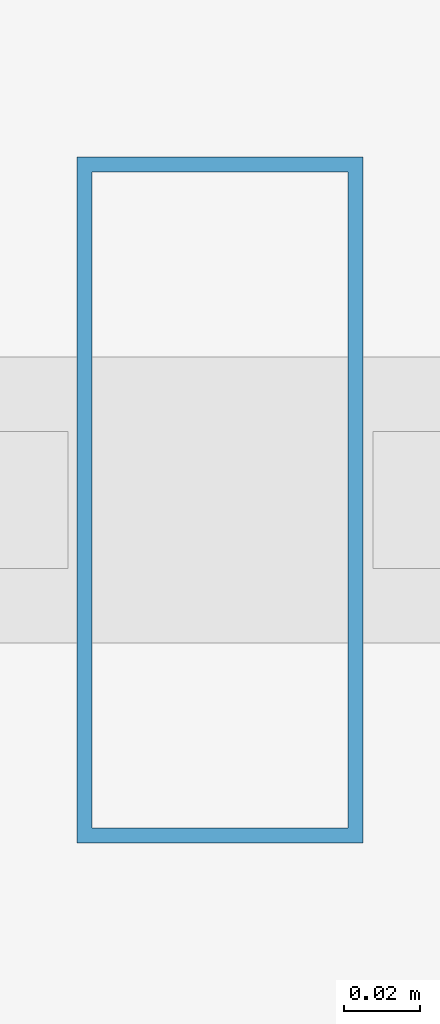
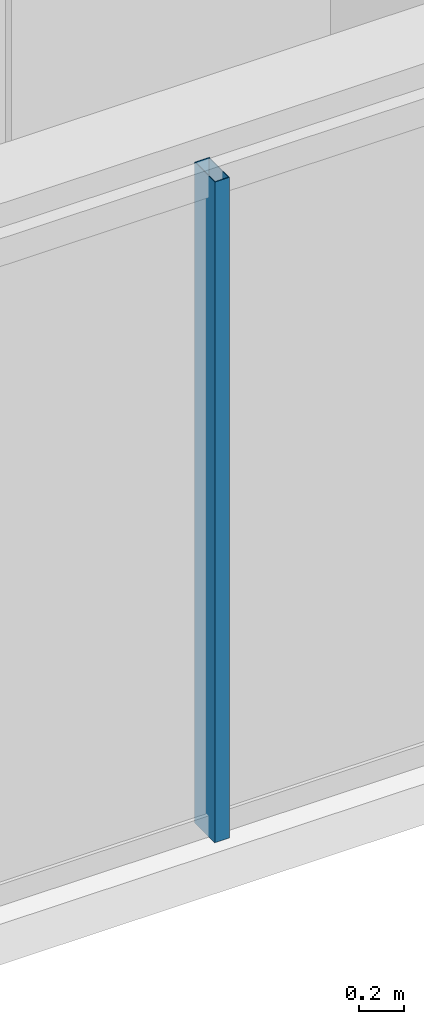
# One storey, part 3 of 35: 1 member, 1 element without a shape of its own.
"""IFC4 building model written with IfcOpenShell, lengths in metres."""

from ifc_helpers import new_model, si_unit, direction, frame, origin, origin_2d, place, context, subcontext, project, spatial, hollow_rectangle, extrude, material, layer, layer_set, material_profile, profile_set, type_object, element, aggregate, save


model = new_model("IFC4")

# Units and contexts
model_context = context("Model", 3, precision=1e-05, world=origin(), true_north=direction((0.0, 1.0)))
body_context = subcontext(model_context, "Body", "Model", "MODEL_VIEW")
ifc_project = project(units=[si_unit("LENGTHUNIT", "METRE"), si_unit("AREAUNIT", "SQUARE_METRE"), si_unit("VOLUMEUNIT", "CUBIC_METRE"), si_unit("PLANEANGLEUNIT", "RADIAN"), si_unit("MASSUNIT", "GRAM", prefix="KILO")], contexts=[model_context])

# Site, building, storey
site_placement = place(None, origin())
site = spatial("IfcSite", under=ifc_project, at=site_placement, CompositionType="ELEMENT")
building_placement = place(site_placement, origin())
building = spatial("IfcBuilding", under=site, at=building_placement, Name="Ndaravel Arena Tower", CompositionType="ELEMENT")
storey_placement = place(building_placement, frame((0.0, 0.0, 176.39990234375)))
storey = spatial("IfcBuildingStorey", under=building, at=storey_placement, Name="L42", CompositionType="ELEMENT", Elevation=176.39990234375)

# Curtain wall, member
ifc_material_1 = material(Name="Aluminium", Category="aluminium")
ifc_layer = layer(ifc_material_1, 0.179931640625)
ifc_layer_set = layer_set([ifc_layer], Name="Aluminium")
curtain_wall_type = type_object("IfcCurtainWallType", Name="CW-SYS-03", PredefinedType="NOTDEFINED", material=ifc_layer_set)
curtain_wall_placement = place(storey_placement, origin())
curtain_wall = element("IfcCurtainWall", 1, at=curtain_wall_placement, inside=storey, type_object=curtain_wall_type, Name="L42 Faceted Crystal Curtain Wall CW-L42-E01", PredefinedType="NOTDEFINED")
ifc_material_2 = material(Name="Aluminium", Category="aluminium")
ifc_material_profile = material_profile(ifc_material_2, hollow_rectangle(XDim=0.074951171875, YDim=0.179931640625, WallThickness=0.00390625, at=origin_2d()), Name="CW MULLION 75x180x4")
ifc_profile_set = profile_set([ifc_material_profile], Name="Aluminium")
member_type = type_object("IfcMemberType", Name="MEM-CW-MUL180", PredefinedType="MULLION", material=ifc_profile_set)
member_placement = place(storey_placement, frame((31.609130859375, 5.159912109375, 0.0), z_axis=(0.0, 0.0, 1.0), x_axis=(1.0, 0.0, 0.0)))
member = element("IfcMember", 2, at=member_placement, type_object=member_type, Name="CW-L42-E01 Mullion 02", PredefinedType="MULLION", context=body_context, shape_type="SweptSolid", body=[
    extrude(hollow_rectangle(XDim=0.074951171875, YDim=0.179931640625, WallThickness=0.00390625, at=origin_2d()), origin(), (0.0, 0.0, 1.0), 3.580078125),
])
aggregate(curtain_wall, [member])

save(model, "model.ifc")
